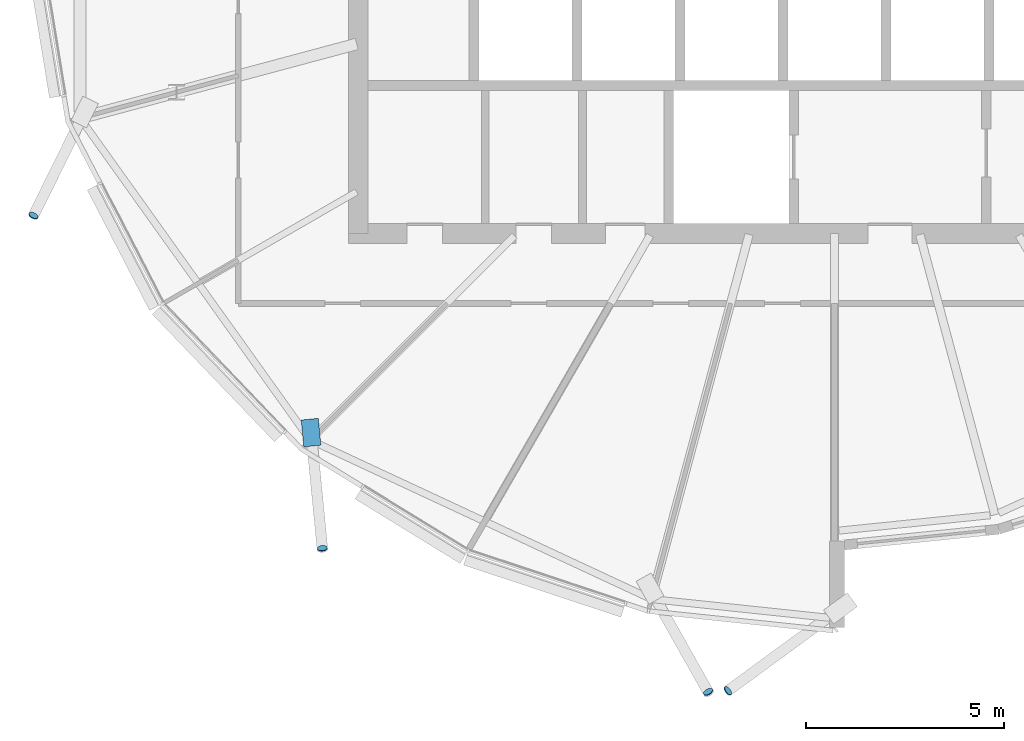
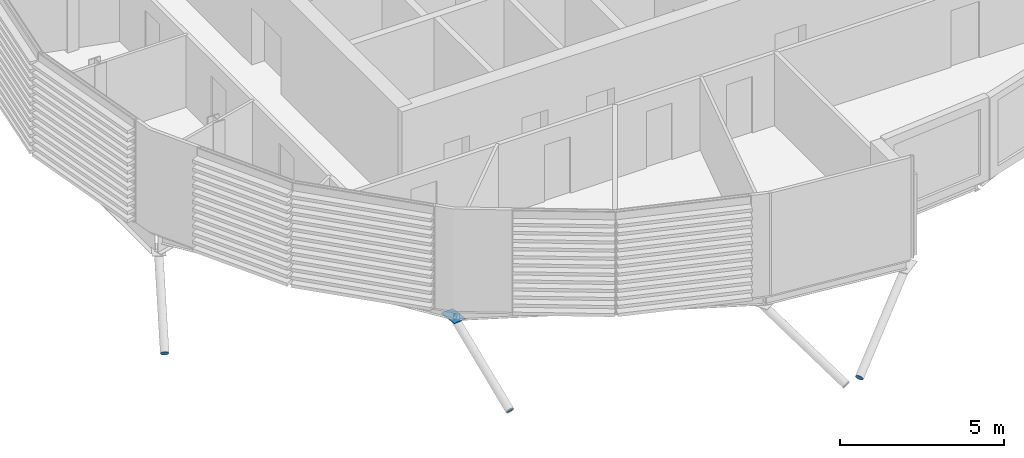
# One storey, part 23 of 34: 5 discrete accessories.
"""IFC4 building model written with IfcOpenShell, lengths in metres."""

from ifc_helpers import new_model, si_unit, direction, frame, origin, origin_2d, place, context, subcontext, project, spatial, polyline, rectangle, circle, outline, extrude, material, material_profile, profile_set, type_object, element, save


model = new_model("IFC4")

# Units and contexts
model_context = context("Model", 3, precision=1e-05, world=origin(), true_north=direction((0.0, 1.0)))
body_context = subcontext(model_context, "Body", "Model", "MODEL_VIEW")
ifc_project = project(units=[si_unit("LENGTHUNIT", "METRE"), si_unit("AREAUNIT", "SQUARE_METRE"), si_unit("VOLUMEUNIT", "CUBIC_METRE"), si_unit("PLANEANGLEUNIT", "RADIAN"), si_unit("MASSUNIT", "GRAM", prefix="KILO")], contexts=[model_context])

# Site, building, storey
site_placement = place(None, origin())
site = spatial("IfcSite", under=ifc_project, at=site_placement, CompositionType="ELEMENT")
building_placement = place(site_placement, origin())
building = spatial("IfcBuilding", under=site, at=building_placement, Name="Rimbun Link Towers", CompositionType="ELEMENT")
storey_placement = place(building_placement, frame((0.0, 0.0, 252.300048828125)))
storey = spatial("IfcBuildingStorey", under=building, at=storey_placement, Name="L62", CompositionType="ELEMENT", Elevation=252.300048828125)

# Discrete accessories
ifc_material_1 = material(Name="Steel S355J2H", Category="steel")
ifc_material_profile_1 = material_profile(ifc_material_1, circle(Radius=0.1240234375, at=origin_2d()), Name="PL D248")
ifc_profile_set_1 = profile_set([ifc_material_profile_1], Name="Steel S355J2H")
discrete_accessory_type_1 = type_object("IfcDiscreteAccessoryType", Name="Link foot sealing plate D248X20", PredefinedType="BRACKET", material=ifc_profile_set_1)
discrete_accessory_1_placement = place(storey_placement, frame((-51.931884765625, -7.545166015625, -2.792236328125), z_axis=(-0.36947045622, -0.763572276187, -0.529574320581), x_axis=(0.900159251416, -0.435560928104, 0.0)))
element("IfcDiscreteAccessory", 1, at=discrete_accessory_1_placement, inside=storey, type_object=discrete_accessory_type_1, Name="Link foot sealing plate T1 L62 13", PredefinedType="BRACKET", context=body_context, shape_type="SweptSolid", body=[
    extrude(circle(Radius=0.1240234375, at=origin_2d()), origin(), (0.0, 0.0, 1.0), 0.019775390625),
])
for number, where, z_axis, x_axis, name in (
    (2, (-44.656494140625, -15.929931640625, -2.37255859375), (0.084899954968, -0.848999549684, -0.521528294806), (0.99503719021, 0.099503719021, 0.0), "Link foot sealing plate T1 L62 15"),
    (3, (-34.936767578125, -19.548828125, -2.624267578125), (0.412887794594, -0.728625519872, -0.546469139904), (0.870022185849, 0.493012571981, 0.0), "Link foot sealing plate T1 L62 17"),
    (4, (-34.428466796875, -19.522705078125, -2.562255859375), (-0.710867591371, -0.527022524637, -0.465740835726), (0.595558727233, -0.803311771616, 0.0), "Link foot sealing plate T1 L62 18"),
):
    element("IfcDiscreteAccessory", number, at=place(storey_placement, frame(where, z_axis=z_axis, x_axis=x_axis)), inside=storey, type_object=discrete_accessory_type_1, Name=name, PredefinedType="BRACKET", context=body_context, shape_type="SweptSolid", body=[
        extrude(circle(Radius=0.1240234375, at=origin_2d()), origin(), (0.0, 0.0, 1.0), 0.02001953125),
    ])
ifc_material_2 = material(Name="Steel S355J2H", Category="steel")
ifc_material_profile_2 = material_profile(ifc_material_2, rectangle(XDim=0.43310546875, YDim=0.43310546875, at=origin_2d()), Name="PL 433x433")
ifc_profile_set_2 = profile_set([ifc_material_profile_2], Name="Steel S355J2H")
discrete_accessory_type_2 = type_object("IfcDiscreteAccessoryType", Name="Link head end plate 433X20", PredefinedType="BRACKET", material=ifc_profile_set_2)
discrete_accessory_2_placement = place(storey_placement, frame((0.0, 0.0, -0.56640625)))
element("IfcDiscreteAccessory", 5, at=discrete_accessory_2_placement, inside=storey, type_object=discrete_accessory_type_2, Name="Link head end plate T1 L62 15", PredefinedType="BRACKET", context=body_context, shape_type="SweptSolid", body=[
    extrude(outline(polyline([(-45.1884765625, -12.702880859375), (-45.12255859375, -13.379150390625), (-44.691650390625, -13.337158203125), (-44.757568359375, -12.660888671875), (-45.1884765625, -12.702880859375)])), origin(), (0.0, 0.0, 1.0), 0.02001953125),
])

save(model, "model.ifc")
